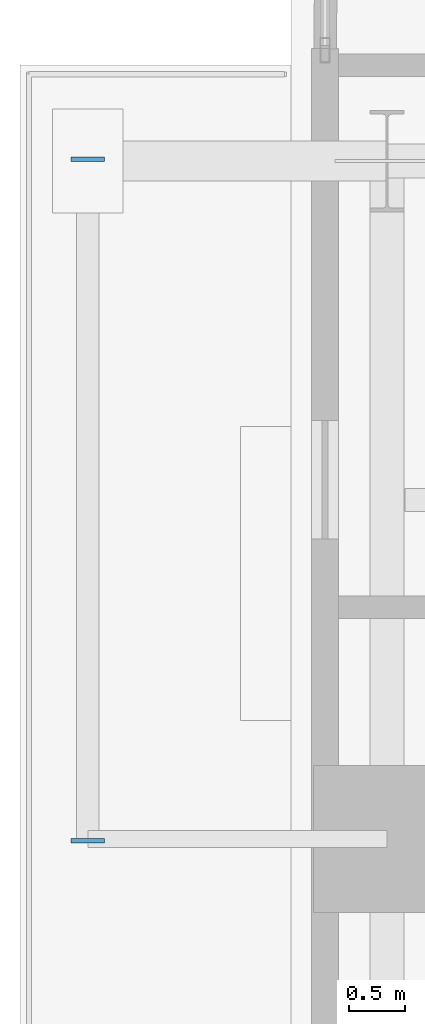
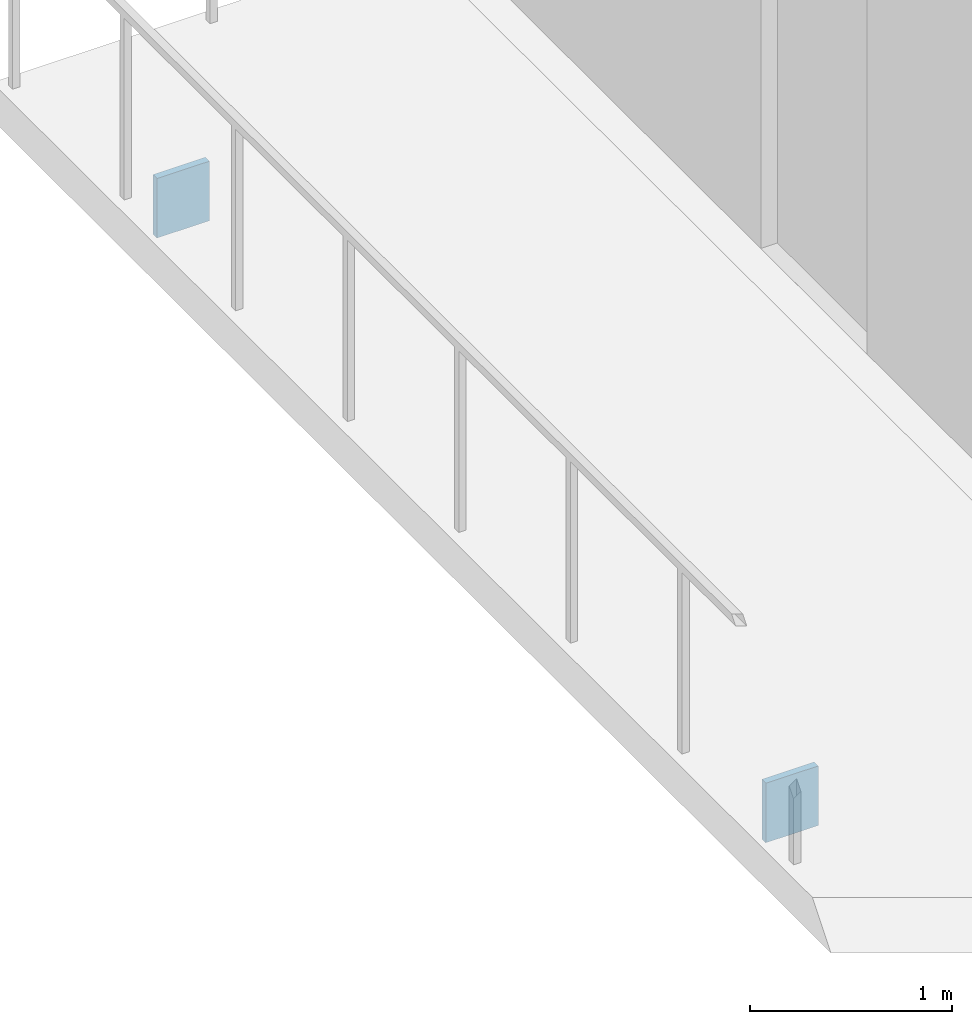
# One storey, part 20 of 27: 2 plates.
"""IFC4 building model written with IfcOpenShell, lengths in metres."""

from ifc_helpers import new_model, si_unit, direction, frame, origin, origin_2d, place, context, subcontext, project, spatial, rectangle, extrude, material, layer, layer_set, type_object, element, save


model = new_model("IFC4")

# Units and contexts
model_context = context("Model", 3, precision=1e-05, world=origin(), true_north=direction((0.0, 1.0)))
body_context = subcontext(model_context, "Body", "Model", "MODEL_VIEW")
ifc_project = project(units=[si_unit("LENGTHUNIT", "METRE"), si_unit("AREAUNIT", "SQUARE_METRE"), si_unit("VOLUMEUNIT", "CUBIC_METRE"), si_unit("PLANEANGLEUNIT", "RADIAN"), si_unit("MASSUNIT", "GRAM", prefix="KILO"), si_unit("THERMODYNAMICTEMPERATUREUNIT", "KELVIN"), si_unit("POWERUNIT", "WATT")], contexts=[model_context])

# Site, building, storey
site_placement = place(None, origin())
site = spatial("IfcSite", under=ifc_project, at=site_placement, CompositionType="ELEMENT")
building_placement = place(site_placement, origin())
building = spatial("IfcBuilding", under=site, at=building_placement, Name="Svarakhadi Broadcast Tower", CompositionType="ELEMENT")
storey_placement = place(building_placement, frame((0.0, 0.0, 71.39990234375)))
storey = spatial("IfcBuildingStorey", under=building, at=storey_placement, Name="L16", CompositionType="ELEMENT", Elevation=71.39990234375)

# Plates
ifc_material = material(Name="Steel S460ML (IS 2062 E450BR)", Category="steel")
ifc_layer = layer(ifc_material, 0.028076171875)
ifc_layer_set = layer_set([ifc_layer], Name="Steel S460ML (IS 2062 E450BR)")
plate_type = type_object("IfcPlateType", Name="Cap_Plate_CP02", PredefinedType="USERDEFINED", material=ifc_layer_set)
for number, where, z_axis, x_axis, name in (
    (1, (-1.800048828125, 35.135009765625, -0.580078125), (0.0, 0.0, 1.0), (1.0, 0.0, 0.0), "L16 Balcony Spandrel End Cap Plate 2F-A"),
    (2, (-1.800048828125, 41.1650390625, -0.580078125), (0.0, 0.0, 1.0), (1.0, 0.0, 0.0), "L16 Balcony Spandrel End Cap Plate 2F-B"),
):
    element("IfcPlate", number, at=place(storey_placement, frame(where, z_axis=z_axis, x_axis=x_axis)), inside=storey, type_object=plate_type, Name=name, ObjectType="FLANGE_PLATE", PredefinedType="USERDEFINED", context=body_context, shape_type="SweptSolid", body=[
        extrude(rectangle(XDim=0.300048828125, YDim=0.0400390625, at=origin_2d()), origin(), (0.0, 0.0, 1.0), 0.360107421875),
    ])

save(model, "model.ifc")
